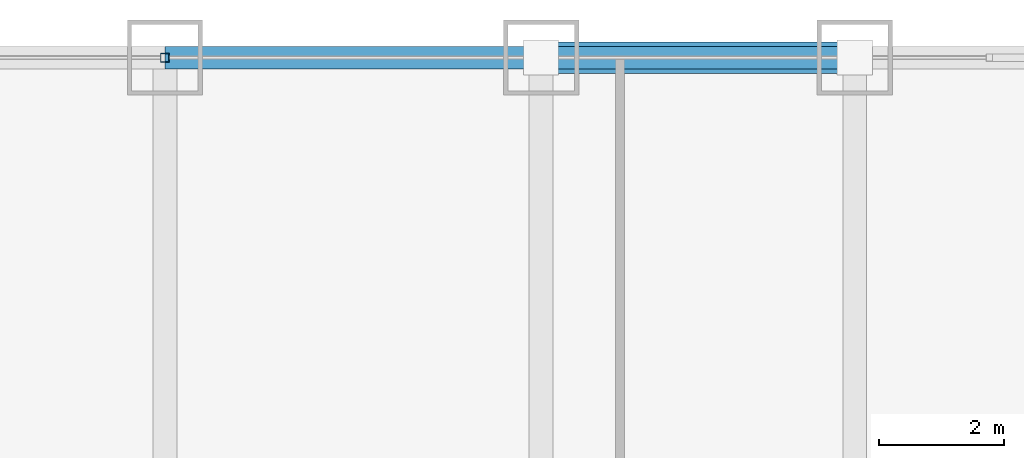
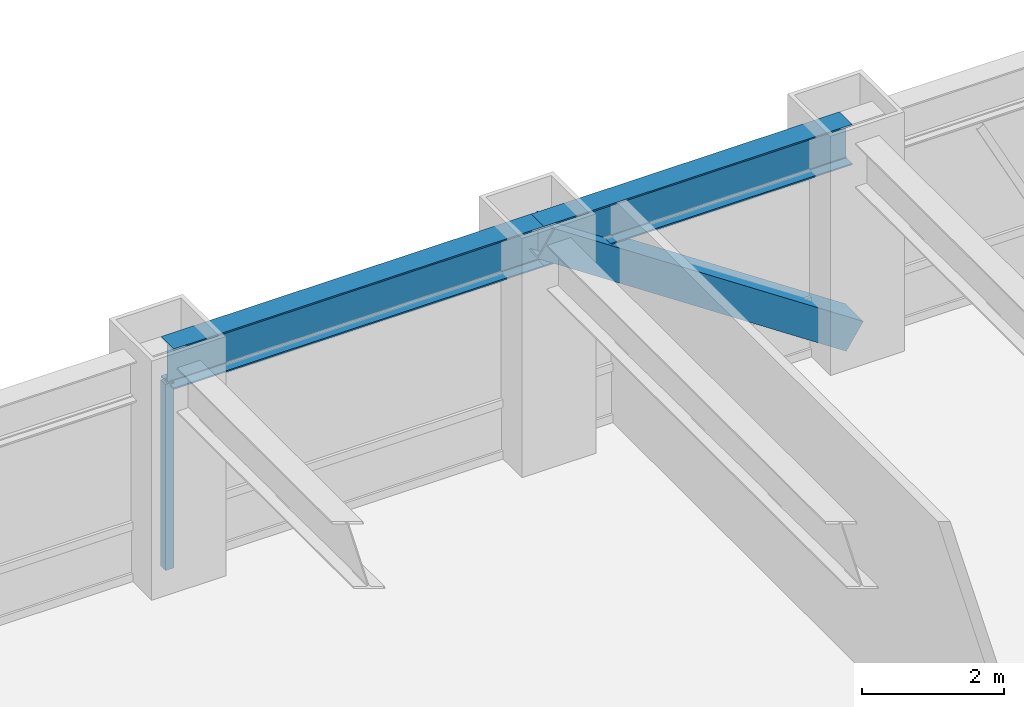
# One storey, part 19 of 28: 2 beams, 2 members, 1 element without a shape of its own.
"""IFC4 building model written with IfcOpenShell, lengths in metres."""

from ifc_helpers import new_model, si_unit, direction, frame, origin, origin_2d, place, context, subcontext, project, spatial, hollow_rectangle, i_section, extrude, source, transform, mapped, material, material_profile, profile_set, type_object, element, aggregate, save


model = new_model("IFC4")

# Units and contexts
model_context = context("Model", 3, precision=1e-05, world=origin(), true_north=direction((0.0, 1.0)))
body_context = subcontext(model_context, "Body", "Model", "MODEL_VIEW")
ifc_project = project(units=[si_unit("LENGTHUNIT", "METRE"), si_unit("AREAUNIT", "SQUARE_METRE"), si_unit("VOLUMEUNIT", "CUBIC_METRE"), si_unit("PLANEANGLEUNIT", "RADIAN"), si_unit("MASSUNIT", "GRAM", prefix="KILO")], contexts=[model_context])

# Site, building, storey
site_placement = place(None, origin())
site = spatial("IfcSite", under=ifc_project, at=site_placement, CompositionType="ELEMENT")
building_placement = place(site_placement, origin())
building = spatial("IfcBuilding", under=site, at=building_placement, Name="Khorayat Bourse Tower", CompositionType="ELEMENT")
storey_placement = place(building_placement, frame((0.0, 0.0, 120.10009765625)))
storey = spatial("IfcBuildingStorey", under=building, at=storey_placement, Name="L27", CompositionType="ELEMENT", Elevation=120.10009765625)

# Beams
ifc_material_1 = material(Name="Steel ASTM A992 Grade 50", Category="steel")
ifc_material_profile_1 = material_profile(ifc_material_1, i_section(OverallWidth=0.35498046875, OverallDepth=0.695068359375, WebThickness=0.015380859375, FlangeThickness=0.02490234375, FilletRadius=0.01806640625, at=origin_2d()), Name="W690X217")
ifc_profile_set_1 = profile_set([ifc_material_profile_1], Name="Steel ASTM A992 Grade 50")
beam_type = type_object("IfcBeamType", Name="BM-SPAN-690", PredefinedType="SPANDREL", material=ifc_profile_set_1)
shared_shape_1 = source(origin(), body_context, "Body", "SweptSolid", [
    extrude(i_section(OverallWidth=0.35498046875, OverallDepth=0.695068359375, WebThickness=0.015380859375, FlangeThickness=0.02490234375, FilletRadius=0.01806640625, at=origin_2d()), origin(), (0.0, 0.0, 1.0), 5.0),
])
beam_1_placement = place(storey_placement, frame((6.0, 32.0, 3.492431640625), z_axis=(1.0, 0.0, 0.0), x_axis=(0.0, 1.0, 0.0)))
element("IfcBeam", 1, at=beam_1_placement, inside=storey, type_object=beam_type, Name="L27 BM-SPAN-690 BM-L27-SPN-046", PredefinedType="SPANDREL", context=body_context, shape_type="MappedRepresentation", body=[
    mapped(shared_shape_1, transform((0.0, 0.0, 0.0), scale=1.0)),
])
shared_shape_2 = source(origin(), body_context, "Body", "SweptSolid", [
    extrude(i_section(OverallWidth=0.35498046875, OverallDepth=0.695068359375, WebThickness=0.015380859375, FlangeThickness=0.02490234375, FilletRadius=0.01806640625, at=origin_2d()), origin(), (0.0, 0.0, 1.0), 6.0),
])
beam_2_placement = place(storey_placement, frame((0.0, 32.0, 3.492431640625), z_axis=(1.0, 0.0, 0.0), x_axis=(0.0, 1.0, 0.0)))
element("IfcBeam", 2, at=beam_2_placement, inside=storey, type_object=beam_type, Name="L27 BM-SPAN-690 BM-L27-SPN-047", PredefinedType="SPANDREL", context=body_context, shape_type="MappedRepresentation", body=[
    mapped(shared_shape_2, transform((0.0, 0.0, 0.0), scale=1.0)),
])

# Member
ifc_material_2 = material(Name="Steel EN 10025-4 S460M", Category="steel")
ifc_material_profile_2 = material_profile(ifc_material_2, hollow_rectangle(XDim=0.5, YDim=0.5, WallThickness=0.028076171875, at=origin_2d()), Name="HSS 500x500x28")
ifc_profile_set_2 = profile_set([ifc_material_profile_2], Name="Steel EN 10025-4 S460M")
member_type_1 = type_object("IfcMemberType", Name="MBR-TUBE-500", PredefinedType="BRACE", material=ifc_profile_set_2)
shared_shape_3 = source(origin(), body_context, "Body", "SweptSolid", [
    extrude(hollow_rectangle(XDim=0.5, YDim=0.5, WallThickness=0.028076171875, at=origin_2d()), origin(), (0.0, 0.0, 1.0), 6.012939453125),
])
member_1_placement = place(storey_placement, frame((6.0, 32.0, 3.58984375), z_axis=(0.831550226979, 0.0, -0.555449565677), x_axis=(0.0, 1.0, 0.0)))
element("IfcMember", 3, at=member_1_placement, inside=storey, type_object=member_type_1, Name="L27 Perimeter Tube Brace 04", PredefinedType="BRACE", context=body_context, shape_type="MappedRepresentation", body=[
    mapped(shared_shape_3, transform((0.0, 0.0, 0.0), scale=1.0)),
])

# Curtain wall, member
ifc_material_3 = material(Name="Aluminium EN AW-6063 T6", Category="aluminium")
curtain_wall_type = type_object("IfcCurtainWallType", Name="CW-SYS-02", PredefinedType="NOTDEFINED", material=ifc_material_3)
curtain_wall_placement = place(storey_placement, origin())
curtain_wall = element("IfcCurtainWall", 4, at=curtain_wall_placement, inside=storey, type_object=curtain_wall_type, Name="L27 Curtain Wall CW-L27-N1", PredefinedType="NOTDEFINED")
ifc_material_profile_3 = material_profile(ifc_material_3, hollow_rectangle(XDim=0.139892578125, YDim=0.139892578125, WallThickness=0.006103515625, at=origin_2d()), Name="ALU 140x140x6")
ifc_profile_set_3 = profile_set([ifc_material_profile_3], Name="Aluminium EN AW-6063 T6")
member_type_2 = type_object("IfcMemberType", Name="CWM-VERT-140", PredefinedType="MULLION", material=ifc_profile_set_3)
shared_shape_4 = source(origin(), body_context, "Body", "SweptSolid", [
    extrude(hollow_rectangle(XDim=0.139892578125, YDim=0.139892578125, WallThickness=0.006103515625, at=origin_2d()), origin(), (0.0, 0.0, 1.0), 3.18994140625),
])
member_2_placement = place(storey_placement, frame((0.0, 32.0, 0.0), z_axis=(0.0, 0.0, 1.0), x_axis=(0.0, 1.0, 0.0)))
member_2 = element("IfcMember", 5, at=member_2_placement, type_object=member_type_2, Name="CW-L27-N1 Vertical Mullion 2", PredefinedType="MULLION", context=body_context, shape_type="MappedRepresentation", body=[
    mapped(shared_shape_4, transform((0.0, 0.0, 0.0), scale=1.0)),
])
aggregate(curtain_wall, [member_2])

save(model, "model.ifc")
